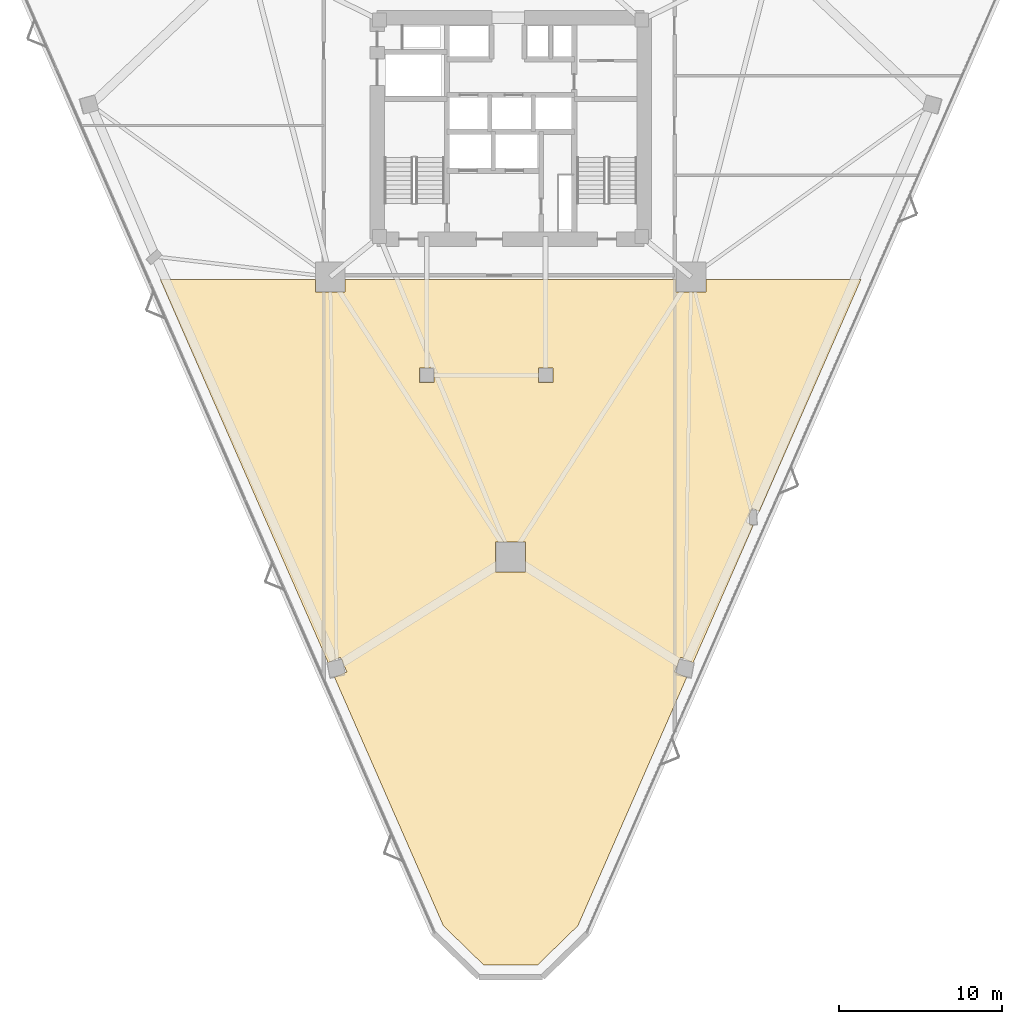
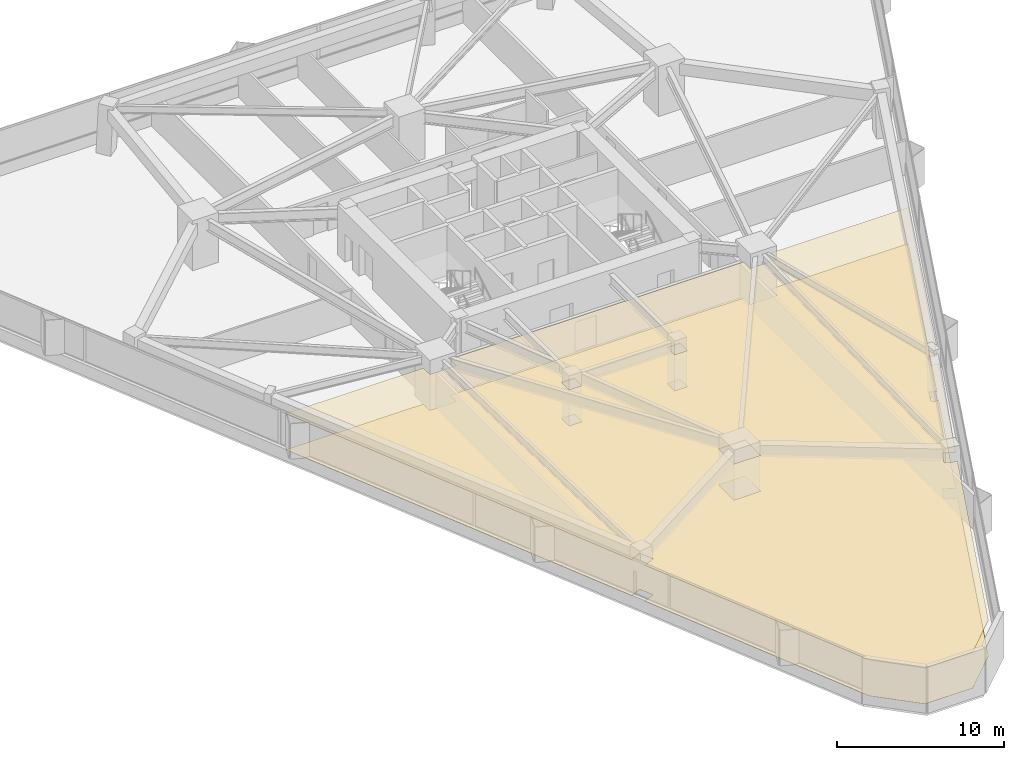
# One storey, part 20 of 21: 2 coverings.
"""IFC4 building model written with IfcOpenShell, lengths in metres."""

from ifc_helpers import new_model, si_unit, direction, frame, origin, place, context, subcontext, project, spatial, polyline, outline, extrude, material, layer, layer_set, type_object, element, save


model = new_model("IFC4")

# Units and contexts
model_context = context("Model", 3, precision=1e-05, world=origin(), true_north=direction((0.0, 1.0)))
body_context = subcontext(model_context, "Body", "Model", "MODEL_VIEW")
ifc_project = project(units=[si_unit("LENGTHUNIT", "METRE"), si_unit("AREAUNIT", "SQUARE_METRE"), si_unit("VOLUMEUNIT", "CUBIC_METRE"), si_unit("PLANEANGLEUNIT", "RADIAN"), si_unit("MASSUNIT", "GRAM", prefix="KILO")], contexts=[model_context])

# Site, building, storey
site_placement = place(None, origin())
site = spatial("IfcSite", under=ifc_project, at=site_placement, CompositionType="ELEMENT")
building_placement = place(site_placement, origin())
building = spatial("IfcBuilding", under=site, at=building_placement, Name="Talyreon Biosciences Tower", CompositionType="ELEMENT")
storey_placement = place(building_placement, frame((0.0, 0.0, 33.75)))
storey = spatial("IfcBuildingStorey", under=building, at=storey_placement, Name="L08", CompositionType="ELEMENT", Elevation=33.75)

# Coverings
ifc_material_1 = material(Name="Cleanable acoustic mineral-fibre ceiling tile", Category="gypsum")
ifc_layer_1 = layer(ifc_material_1, 0.0400390625)
ifc_layer_set_1 = layer_set([ifc_layer_1], Name="Cleanable acoustic mineral-fibre ceiling tile")
covering_type_1 = type_object("IfcCoveringType", Name="AcousticCleanroomCeiling_40", PredefinedType="CEILING", material=ifc_layer_set_1)
covering_1_placement = place(storey_placement, frame((0.0, 0.0, 2.614990234375)))
element("IfcCovering", 1, at=covering_1_placement, inside=storey, type_object=covering_type_1, Name="L08 Acoustic Laboratory Ceiling", PredefinedType="CEILING", context=body_context, shape_type="SweptSolid", body=[
    extrude(outline(polyline([(53.998779296875, 58.72998046875), (53.998779296875, 57.96533203125), (55.828857421875, 57.96533203125), (55.828857421875, 58.72998046875), (76.171142578125, 58.72998046875), (76.171142578125, 57.96533203125), (78.001220703125, 57.96533203125), (78.001220703125, 58.72998046875), (87.52685546875, 58.72998046875), (81.2802734375, 44.469482421875), (80.84130859375, 44.66162109375), (80.46826171875, 43.809814453125), (80.9072265625, 43.61767578125), (77.2109375, 35.17919921875), (76.451171875, 35.511962890625), (76.057861328125, 34.6142578125), (76.817626953125, 34.281494140625), (70.135009765625, 19.02490234375), (67.65283203125, 16.608642578125), (64.34716796875, 16.608642578125), (61.864990234375, 19.02490234375), (55.182373046875, 34.281494140625), (55.942138671875, 34.6142578125), (55.548828125, 35.511962890625), (54.7890625, 35.17919921875), (44.47314453125, 58.72998046875), (53.998779296875, 58.72998046875)]), holes=[polyline([(66.9150390625, 40.751953125), (66.9150390625, 42.581787109375), (65.0849609375, 42.581787109375), (65.0849609375, 40.751953125), (66.9150390625, 40.751953125)]), polyline([(61.2900390625, 52.39990234375), (61.2900390625, 53.280029296875), (60.409912109375, 53.280029296875), (60.409912109375, 52.39990234375), (61.2900390625, 52.39990234375)]), polyline([(67.7099609375, 52.39990234375), (68.590087890625, 52.39990234375), (68.590087890625, 53.280029296875), (67.7099609375, 53.280029296875), (67.7099609375, 52.39990234375)])]), origin(), (0.0, 0.0, 1.0), 0.0400390625),
])
ifc_material_2 = material(Name="Chemical-resistant seamless epoxy resin flooring", Category="plastic")
ifc_layer_2 = layer(ifc_material_2, 0.014892578125)
ifc_layer_set_2 = layer_set([ifc_layer_2], Name="Chemical-resistant seamless epoxy resin flooring")
covering_type_2 = type_object("IfcCoveringType", Name="SeamlessEpoxyLabFlooring_15", PredefinedType="FLOORING", material=ifc_layer_set_2)
covering_2_placement = place(storey_placement, origin())
element("IfcCovering", 2, at=covering_2_placement, inside=storey, type_object=covering_type_2, Name="L08 Laboratory Floor Finish", PredefinedType="FLOORING", context=body_context, shape_type="SweptSolid", body=[
    extrude(outline(polyline([(53.998779296875, 58.72998046875), (53.998779296875, 57.96533203125), (55.828857421875, 57.96533203125), (55.828857421875, 58.72998046875), (76.171142578125, 58.72998046875), (76.171142578125, 57.96533203125), (78.001220703125, 57.96533203125), (78.001220703125, 58.72998046875), (87.52685546875, 58.72998046875), (81.2802734375, 44.469482421875), (80.84130859375, 44.66162109375), (80.46826171875, 43.809814453125), (80.9072265625, 43.61767578125), (77.2109375, 35.17919921875), (76.451171875, 35.511962890625), (76.057861328125, 34.6142578125), (76.817626953125, 34.281494140625), (70.135009765625, 19.02490234375), (67.65283203125, 16.608642578125), (64.34716796875, 16.608642578125), (61.864990234375, 19.02490234375), (55.182373046875, 34.281494140625), (55.942138671875, 34.6142578125), (55.548828125, 35.511962890625), (54.7890625, 35.17919921875), (44.47314453125, 58.72998046875), (53.998779296875, 58.72998046875)]), holes=[polyline([(66.9150390625, 40.751953125), (66.9150390625, 42.581787109375), (65.0849609375, 42.581787109375), (65.0849609375, 40.751953125), (66.9150390625, 40.751953125)]), polyline([(61.2900390625, 52.39990234375), (61.2900390625, 53.280029296875), (60.409912109375, 53.280029296875), (60.409912109375, 52.39990234375), (61.2900390625, 52.39990234375)]), polyline([(67.7099609375, 52.39990234375), (68.590087890625, 52.39990234375), (68.590087890625, 53.280029296875), (67.7099609375, 53.280029296875), (67.7099609375, 52.39990234375)])]), origin(), (0.0, 0.0, 1.0), 0.014892578125),
])

save(model, "model.ifc")
